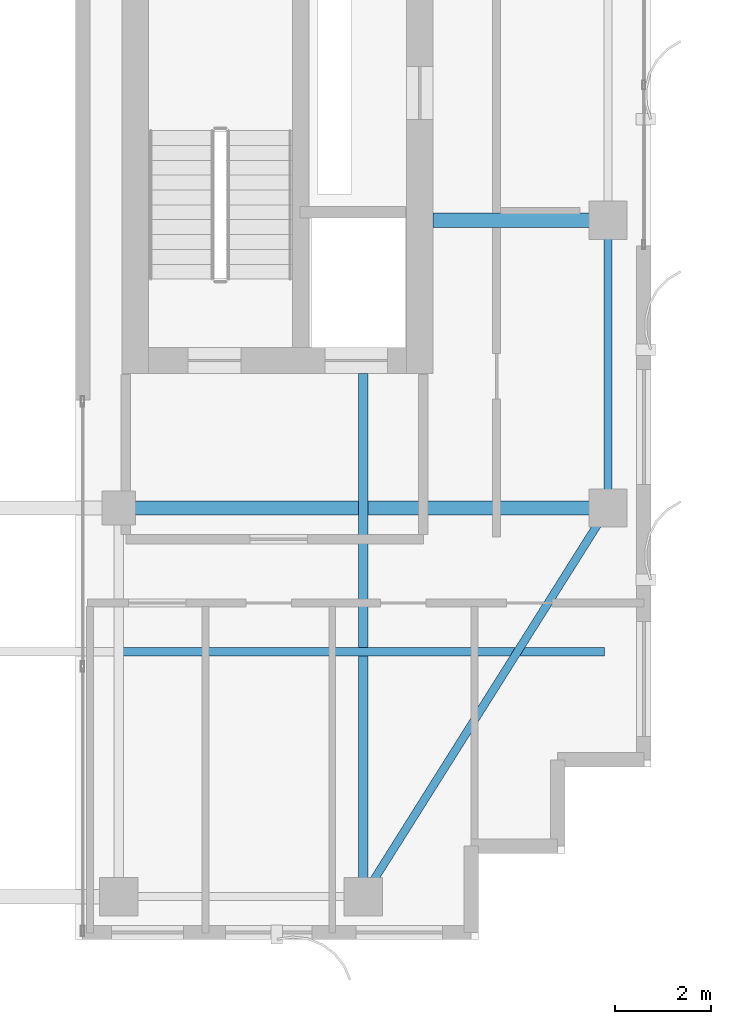
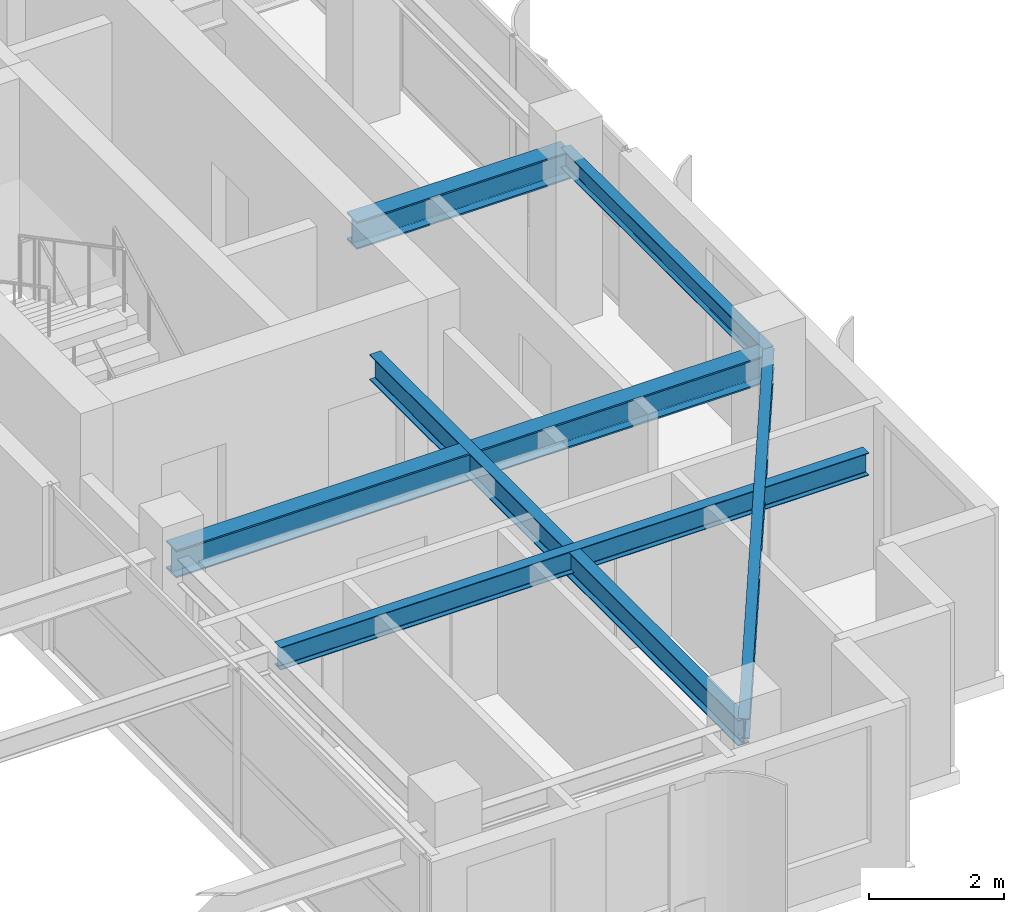
# One storey, part 12 of 25: 6 beams.
"""IFC4 building model written with IfcOpenShell, lengths in metres."""

from ifc_helpers import new_model, si_unit, direction, frame, origin, origin_2d, place, context, subcontext, project, spatial, i_section, extrude, source, transform, mapped, material, material_profile, profile_set, type_object, element, save


model = new_model("IFC4")

# Units and contexts
model_context = context("Model", 3, precision=1e-05, world=origin(), true_north=direction((0.0, 1.0)))
body_context = subcontext(model_context, "Body", "Model", "MODEL_VIEW")
ifc_project = project(units=[si_unit("LENGTHUNIT", "METRE"), si_unit("AREAUNIT", "SQUARE_METRE"), si_unit("VOLUMEUNIT", "CUBIC_METRE"), si_unit("PLANEANGLEUNIT", "RADIAN"), si_unit("MASSUNIT", "GRAM", prefix="KILO")], contexts=[model_context])

# Site, building, storey
site_placement = place(None, origin())
site = spatial("IfcSite", under=ifc_project, at=site_placement, CompositionType="ELEMENT")
building_placement = place(site_placement, origin())
building = spatial("IfcBuilding", under=site, at=building_placement, Name="Khoralis Quay Care Tower", CompositionType="ELEMENT")
storey_placement = place(building_placement, frame((0.0, 0.0, 263.699951171875)))
storey = spatial("IfcBuildingStorey", under=building, at=storey_placement, Name="L69", CompositionType="ELEMENT", Elevation=263.699951171875)

# Beams
ifc_material = material(Name="Steel S355", Category="steel")
ifc_material_profile_1 = material_profile(ifc_material, i_section(OverallWidth=0.169921875, OverallDepth=0.360107421875, WebThickness=0.008056640625, FlangeThickness=0.0126953125, FilletRadius=0.01806640625, at=origin_2d()), Name="Steel S355")
ifc_profile_set_1 = profile_set([ifc_material_profile_1], Name="Steel S355")
beam_type_1 = type_object("IfcBeamType", Name="BM-IPE360", PredefinedType="SPANDREL", material=ifc_profile_set_1)
shared_shape_1 = source(origin(), body_context, "Body", "SweptSolid", [
    extrude(i_section(OverallWidth=0.169921875, OverallDepth=0.360107421875, WebThickness=0.008056640625, FlangeThickness=0.0126953125, FilletRadius=0.01806640625, at=origin_2d()), origin(), (0.0, 0.0, 1.0), 6.0),
])
beam_1_placement = place(storey_placement, frame((41.10009765625, 12.0, 2.77001953125), z_axis=(0.0, 1.0, 0.0), x_axis=(-1.0, 0.0, 0.0)))
element("IfcBeam", 1, at=beam_1_placement, inside=storey, type_object=beam_type_1, Name="BM-TSP-L69-11", PredefinedType="SPANDREL", context=body_context, shape_type="MappedRepresentation", body=[
    mapped(shared_shape_1, transform((0.0, 0.0, 0.0), scale=1.0)),
])
shared_shape_2 = source(origin(), body_context, "Body", "SweptSolid", [
    extrude(i_section(OverallWidth=0.169921875, OverallDepth=0.360107421875, WebThickness=0.008056640625, FlangeThickness=0.0126953125, FilletRadius=0.01806640625, at=origin_2d()), origin(), (0.0, 0.0, 1.0), 9.572021484375),
])
beam_2_placement = place(storey_placement, frame((36.0, 3.89990234375, 2.77001953125), z_axis=(0.532815975602, 0.846231136359, 0.0), x_axis=(-0.846231136359, 0.532815975602, 0.0)))
element("IfcBeam", 2, at=beam_2_placement, inside=storey, type_object=beam_type_1, Name="BM-TCR-L69-16", PredefinedType="SPANDREL", context=body_context, shape_type="MappedRepresentation", body=[
    mapped(shared_shape_2, transform((0.0, 0.0, 0.0), scale=1.0)),
])
ifc_material_profile_2 = material_profile(ifc_material, i_section(OverallWidth=0.300048828125, OverallDepth=0.5, WebThickness=0.014404296875, FlangeThickness=0.028076171875, FilletRadius=0.027099609375, at=origin_2d()), Name="Steel S355")
ifc_profile_set_2 = profile_set([ifc_material_profile_2], Name="Steel S355")
beam_type_2 = type_object("IfcBeamType", Name="BM-HEB500", PredefinedType="BEAM", material=ifc_profile_set_2)
shared_shape_3 = source(origin(), body_context, "Body", "SweptSolid", [
    extrude(i_section(OverallWidth=0.300048828125, OverallDepth=0.5, WebThickness=0.014404296875, FlangeThickness=0.028076171875, FilletRadius=0.027099609375, at=origin_2d()), origin(), (0.0, 0.0, 1.0), 10.2001953125),
])
beam_3_placement = place(storey_placement, frame((30.89990234375, 12.0, 2.699951171875), z_axis=(1.0, 0.0, 0.0), x_axis=(0.0, 1.0, 0.0)))
element("IfcBeam", 3, at=beam_3_placement, inside=storey, type_object=beam_type_2, Name="BM-TGXE-L69-120", PredefinedType="BEAM", context=body_context, shape_type="MappedRepresentation", body=[
    mapped(shared_shape_3, transform((0.0, 0.0, 0.0), scale=1.0)),
])
shared_shape_4 = source(origin(), body_context, "Body", "SweptSolid", [
    extrude(i_section(OverallWidth=0.300048828125, OverallDepth=0.5, WebThickness=0.014404296875, FlangeThickness=0.028076171875, FilletRadius=0.027099609375, at=origin_2d()), origin(), (0.0, 0.0, 1.0), 3.652099609375),
])
beam_4_placement = place(storey_placement, frame((37.447998046875, 18.0, 2.699951171875), z_axis=(1.0, 0.0, 0.0), x_axis=(0.0, 1.0, 0.0)))
element("IfcBeam", 4, at=beam_4_placement, inside=storey, type_object=beam_type_2, Name="BM-TGXE-L69-180", PredefinedType="BEAM", context=body_context, shape_type="MappedRepresentation", body=[
    mapped(shared_shape_4, transform((0.0, 0.0, 0.0), scale=1.0)),
])
ifc_material_profile_3 = material_profile(ifc_material, i_section(OverallWidth=0.19189453125, OverallDepth=0.462890625, WebThickness=0.010498046875, FlangeThickness=0.017578125, FilletRadius=0.014892578125, at=origin_2d()), Name="Steel S355")
ifc_profile_set_3 = profile_set([ifc_material_profile_3], Name="Steel S355")
beam_type_3 = type_object("IfcBeamType", Name="BM-W460X89", PredefinedType="BEAM", material=ifc_profile_set_3)
shared_shape_5 = source(origin(), body_context, "Body", "SweptSolid", [
    extrude(i_section(OverallWidth=0.19189453125, OverallDepth=0.462890625, WebThickness=0.010498046875, FlangeThickness=0.017578125, FilletRadius=0.014892578125, at=origin_2d()), origin(), (0.0, 0.0, 1.0), 10.902099609375),
])
beam_5_placement = place(storey_placement, frame((36.0, 3.89990234375, 2.718505859375), z_axis=(0.0, 1.0, 0.0), x_axis=(-1.0, 0.0, 0.0)))
element("IfcBeam", 5, at=beam_5_placement, inside=storey, type_object=beam_type_3, Name="BM-TGYS-L69-360", PredefinedType="BEAM", context=body_context, shape_type="MappedRepresentation", body=[
    mapped(shared_shape_5, transform((0.0, 0.0, 0.0), scale=1.0)),
])
ifc_material_profile_4 = material_profile(ifc_material, i_section(OverallWidth=0.177978515625, OverallDepth=0.406982421875, WebThickness=0.0078125, FlangeThickness=0.0126953125, FilletRadius=0.012939453125, at=origin_2d()), Name="Steel S355")
ifc_profile_set_4 = profile_set([ifc_material_profile_4], Name="Steel S355")
beam_type_4 = type_object("IfcBeamType", Name="BM-W410X60", PredefinedType="JOIST", material=ifc_profile_set_4)
shared_shape_6 = source(origin(), body_context, "Body", "SweptSolid", [
    extrude(i_section(OverallWidth=0.177978515625, OverallDepth=0.406982421875, WebThickness=0.0078125, FlangeThickness=0.0126953125, FilletRadius=0.012939453125, at=origin_2d()), origin(), (0.0, 0.0, 1.0), 10.045166015625),
])
beam_6_placement = place(storey_placement, frame((30.98388671875, 9.0, 2.74658203125), z_axis=(1.0, 0.0, 0.0), x_axis=(0.0, 1.0, 0.0)))
element("IfcBeam", 6, at=beam_6_placement, inside=storey, type_object=beam_type_4, Name="BM-TJS-L69-20", PredefinedType="JOIST", context=body_context, shape_type="MappedRepresentation", body=[
    mapped(shared_shape_6, transform((0.0, 0.0, 0.0), scale=1.0)),
])

save(model, "model.ifc")
